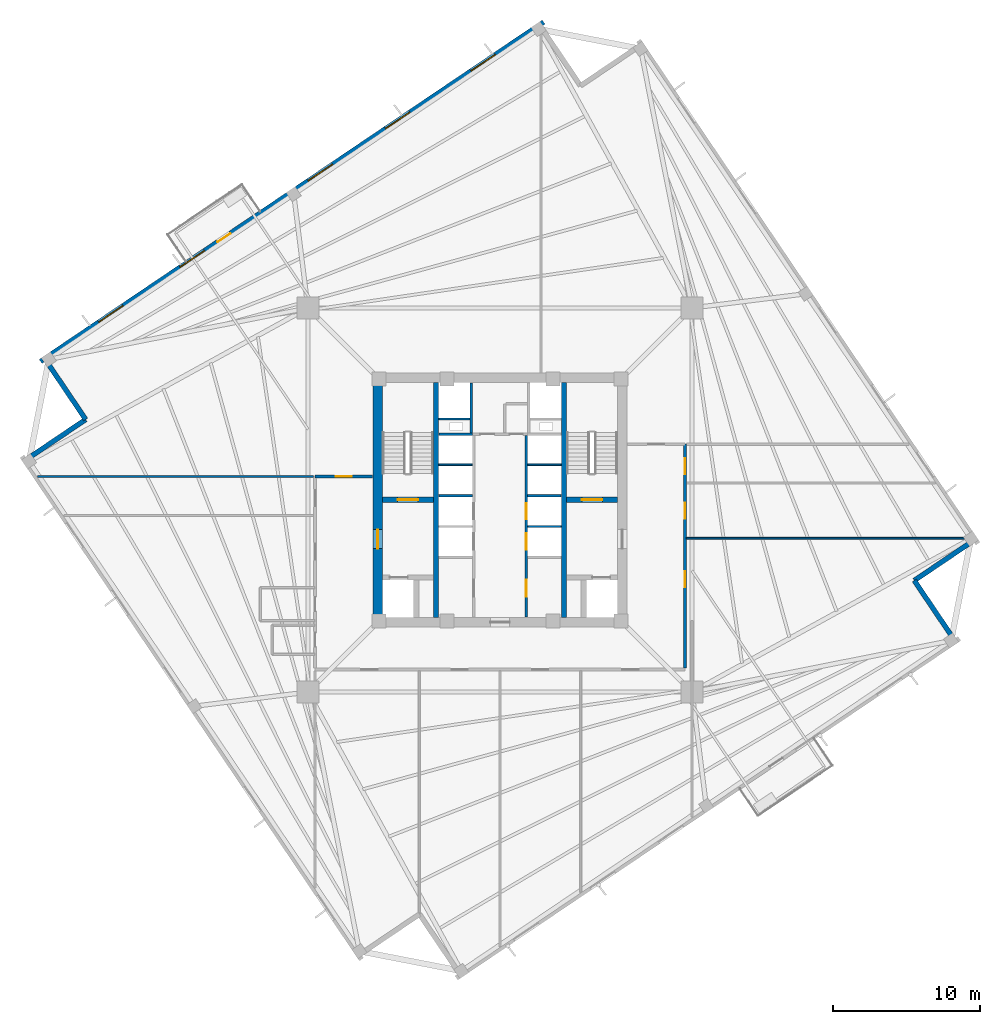
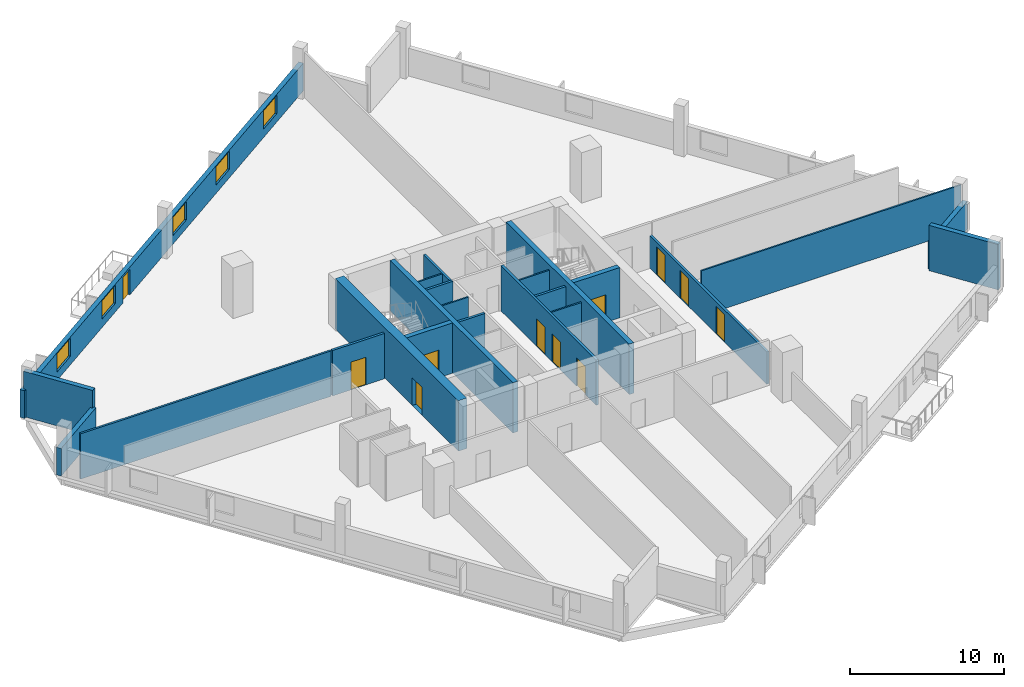
# One storey, part 4 of 8: 23 walls, 11 doors, 5 windows, 16 openings.
"""IFC4 building model written with IfcOpenShell, lengths in metres."""

from ifc_helpers import new_model, si_unit, direction, frame, frame_2d, origin, place, context, subcontext, project, spatial, rectangle, extrude, source, transform, mapped, material, layer, layer_set, type_object, element, fill, save


model = new_model("IFC4")

# Units and contexts
model_context = context("Model", 3, precision=1e-05, world=origin(), true_north=direction((0.0, 1.0)))
body_context = subcontext(model_context, "Body", "Model", "MODEL_VIEW")
ifc_project = project(units=[si_unit("LENGTHUNIT", "METRE"), si_unit("AREAUNIT", "SQUARE_METRE"), si_unit("VOLUMEUNIT", "CUBIC_METRE"), si_unit("PLANEANGLEUNIT", "RADIAN"), si_unit("MASSUNIT", "GRAM", prefix="KILO"), si_unit("THERMODYNAMICTEMPERATUREUNIT", "KELVIN")], contexts=[model_context])

# Site, building, storey
site_placement = place(None, origin())
site = spatial("IfcSite", under=ifc_project, at=site_placement, CompositionType="ELEMENT")
building_placement = place(site_placement, origin())
building = spatial("IfcBuilding", under=site, at=building_placement, Name="Kosmvard Interchange Tower", CompositionType="ELEMENT")
storey_placement = place(building_placement, frame((0.0, 0.0, 196.39990234375)))
storey = spatial("IfcBuildingStorey", under=building, at=storey_placement, Name="L47", CompositionType="ELEMENT", Elevation=196.39990234375)

# Walls
ifc_material_1 = material(Name="Acoustic gypsum partition system")
ifc_layer_1 = layer(ifc_material_1, 0.14990234375, Name="Acoustic gypsum partition system")
ifc_layer_set_1 = layer_set([ifc_layer_1], Name="Acoustic gypsum partition system")
wall_type_1 = type_object("IfcWallType", Name="Acoustic Suite & Meeting Partition 150", PredefinedType="PARTITIONING", material=ifc_layer_set_1)
wall_1_placement = place(storey_placement, frame((-31.506103515625, 1.60009765625, 0.0), z_axis=(0.0, 0.0, 1.0), x_axis=(1.0, 0.0, 0.0)))
element("IfcWall", 1, at=wall_1_placement, inside=storey, type_object=wall_type_1, Name="L47 Room Partition 03.1", PredefinedType="PARTITIONING", context=body_context, shape_type="SweptSolid", body=[
    extrude(rectangle(XDim=18.81103515625, YDim=0.14990234375, at=frame_2d((9.405517578125, 0.0))), origin(), (0.0, 0.0, 1.0), 3.60009765625),
])
ifc_material_2 = material(Name="Fire-rated gypsum partition system")
ifc_layer_2 = layer(ifc_material_2, 0.159912109375, Name="Fire-rated gypsum partition system")
ifc_layer_set_2 = layer_set([ifc_layer_2], Name="Fire-rated gypsum partition system")
wall_type_2 = type_object("IfcWallType", Name="Core Compartment & Shuttle Lobby Partition 160", PredefinedType="PARTITIONING", material=ifc_layer_set_2)
wall_2_placement = place(storey_placement, frame((-1.9599609375, 4.580078125, 0.0), z_axis=(0.0, 0.0, 1.0), x_axis=(0.0, 1.0, 0.0)))
element("IfcWall", 2, at=wall_2_placement, inside=storey, type_object=wall_type_2, Name="L47 North Core West Wall", PredefinedType="PARTITIONING", context=body_context, shape_type="SweptSolid", body=[
    extrude(rectangle(XDim=3.39990234375, YDim=0.159912109375, at=frame_2d((1.699951171875, 0.0))), origin(), (0.0, 0.0, 1.0), 3.60009765625),
])

# Wall, openings, doors
ifc_layer_3 = layer(ifc_material_2, 0.179931640625, Name="Fire-rated gypsum partition system")
ifc_layer_set_3 = layer_set([ifc_layer_3], Name="Fire-rated gypsum partition system")
wall_type_3 = type_object("IfcWallType", Name="Corridor & Hotel Compartment Partition 180", PredefinedType="PARTITIONING", material=ifc_layer_set_3)
wall_3_placement = place(storey_placement, frame((1.7900390625, -7.97998046875, 0.0), z_axis=(0.0, 0.0, 1.0), x_axis=(0.0, 1.0, 0.0)))
wall_3 = element("IfcWall", 3, at=wall_3_placement, inside=storey, type_object=wall_type_3, Name="L47 East Lift Bank Front Wall", PredefinedType="PARTITIONING", context=body_context, shape_type="SweptSolid", body=[
    extrude(rectangle(XDim=12.3798828125, YDim=0.179931640625, at=frame_2d((6.18994140625, 0.0))), origin(), (0.0, 0.0, 1.0), 3.60009765625),
])
opening_1_placement = place(wall_3_placement, frame((4.60009765625, 0.0, 0.0)))
opening_1 = element("IfcOpeningElement", 4, at=opening_1_placement, cuts=wall_3, Name="Opening LD-PL-M3-L47", PredefinedType="OPENING", context=body_context, shape_type="SweptSolid", body=[
    extrude(rectangle(XDim=1.10009765625, YDim=2.199951171875, at=frame_2d((0.550048828125, 1.10009765625))), frame((0.0, 0.10009765625, 0.0), z_axis=(0.0, -1.0, 0.0), x_axis=(1.0, 0.0, 0.0)), (0.0, 0.0, 1.0), 0.199951171875),
])
opening_2_placement = place(wall_3_placement, frame((6.659912109375, 0.0, 0.0)))
opening_2 = element("IfcOpeningElement", 5, at=opening_2_placement, cuts=wall_3, Name="Opening LD-PL-M4-L47", PredefinedType="OPENING", context=body_context, shape_type="SweptSolid", body=[
    extrude(rectangle(XDim=1.10009765625, YDim=2.199951171875, at=frame_2d((0.550048828125, 1.10009765625))), frame((0.0, 0.10009765625, 0.0), z_axis=(0.0, -1.0, 0.0), x_axis=(1.0, 0.0, 0.0)), (0.0, 0.0, 1.0), 0.199951171875),
])
opening_3_placement = place(wall_3_placement, frame((1.39990234375, 0.0, 0.0)))
opening_3 = element("IfcOpeningElement", 6, at=opening_3_placement, cuts=wall_3, Name="Opening L47-CD2", PredefinedType="OPENING", context=body_context, shape_type="SweptSolid", body=[
    extrude(rectangle(XDim=1.14990234375, YDim=2.25, at=frame_2d((0.574951171875, 1.125))), frame((0.0, 0.10009765625, 0.0), z_axis=(0.0, -1.0, 0.0), x_axis=(1.0, 0.0, 0.0)), (0.0, 0.0, 1.0), 0.199951171875),
])
ifc_material_3 = material(Name="Painted fire-rated steel leaf", Category="steel")
door_type_1 = type_object("IfcDoorType", Name="Plant & Riser Fire Door 1150x2250 EI60", OperationType="NOTDEFINED", PredefinedType="DOOR", material=ifc_material_3)
shared_shape_1 = source(origin(), body_context, "Body", "SweptSolid", [
    extrude(rectangle(XDim=1.14990234375, YDim=2.25, at=frame_2d((0.574951171875, 1.125))), frame((0.0, 0.02490234375, 0.0), z_axis=(0.0, -1.0, 0.0), x_axis=(1.0, 0.0, 0.0)), (0.0, 0.0, 1.0), 0.050048828125),
])
door_1_placement = place(opening_3_placement, frame((1.14990234375, 0.0, 0.0), z_axis=(0.0, 0.0, 1.0), x_axis=(-1.0, 0.0, 0.0)))
door_1 = element("IfcDoor", 7, at=door_1_placement, inside=storey, type_object=door_type_1, Name="L47 Core BMS Door", OperationType="SINGLE_SWING_RIGHT", OverallHeight=2.25, OverallWidth=1.14990234375, PredefinedType="DOOR", context=body_context, shape_type="MappedRepresentation", body=[
    mapped(shared_shape_1, transform((0.0, 0.0, 0.0), scale=1.0)),
])
fill(opening_3, door_1)
ifc_material_4 = material(Name="Brushed stainless steel sliding leaf", Category="steel")
door_type_2 = type_object("IfcDoorType", Name="Passenger Lift Sliding Landing Door 1100x2200 EI60", OperationType="DOUBLE_DOOR_SLIDING", PredefinedType="DOOR", material=ifc_material_4)
shared_shape_2 = source(origin(), body_context, "Body", "SweptSolid", [
    extrude(rectangle(XDim=1.10009765625, YDim=2.199951171875, at=frame_2d((0.550048828125, 1.10009765625))), frame((0.0, 0.02490234375, 0.0), z_axis=(0.0, -1.0, 0.0), x_axis=(1.0, 0.0, 0.0)), (0.0, 0.0, 1.0), 0.050048828125),
])
door_2_placement = place(opening_1_placement, origin())
door_2 = element("IfcDoor", 8, at=door_2_placement, inside=storey, type_object=door_type_2, Name="Lift PL-M3 Landing Door L47", OperationType="DOUBLE_DOOR_SLIDING", OverallHeight=2.199951171875, OverallWidth=1.10009765625, PredefinedType="DOOR", context=body_context, shape_type="MappedRepresentation", body=[
    mapped(shared_shape_2, transform((0.0, 0.0, 0.0), scale=1.0)),
])
fill(opening_1, door_2)
door_3_placement = place(opening_2_placement, origin())
door_3 = element("IfcDoor", 9, at=door_3_placement, inside=storey, type_object=door_type_2, Name="Lift PL-M4 Landing Door L47", OperationType="DOUBLE_DOOR_SLIDING", OverallHeight=2.199951171875, OverallWidth=1.10009765625, PredefinedType="DOOR", context=body_context, shape_type="MappedRepresentation", body=[
    mapped(shared_shape_2, transform((0.0, 0.0, 0.0), scale=1.0)),
])
fill(opening_2, door_3)

wall_4_placement = place(storey_placement, frame((12.60009765625, -11.449951171875, 0.0), z_axis=(0.0, 0.0, 1.0), x_axis=(0.0, 1.0, 0.0)))
wall_4 = element("IfcWall", 10, at=wall_4_placement, inside=storey, type_object=wall_type_3, Name="L47 Corridor Wall CE", PredefinedType="PARTITIONING", context=body_context, shape_type="SweptSolid", body=[
    extrude(rectangle(XDim=15.25, YDim=0.179931640625, at=frame_2d((7.625, 0.0))), origin(), (0.0, 0.0, 1.0), 2.56005859375),
])
opening_4_placement = place(wall_4_placement, frame((13.21044921875, 0.0, 0.0)))
opening_4 = element("IfcOpeningElement", 11, at=opening_4_placement, cuts=wall_4, Name="Opening L47-D06", PredefinedType="OPENING", context=body_context, shape_type="SweptSolid", body=[
    extrude(rectangle(XDim=1.10009765625, YDim=2.199951171875, at=frame_2d((0.550048828125, 1.10009765625))), frame((0.0, 0.10009765625, 0.0), z_axis=(0.0, -1.0, 0.0), x_axis=(1.0, 0.0, 0.0)), (0.0, 0.0, 1.0), 0.199951171875),
])
opening_5_placement = place(wall_4_placement, frame((5.5, 0.0, 0.0)))
opening_5 = element("IfcOpeningElement", 12, at=opening_5_placement, cuts=wall_4, Name="Opening L47-D12", PredefinedType="OPENING", context=body_context, shape_type="SweptSolid", body=[
    extrude(rectangle(XDim=1.10009765625, YDim=2.199951171875, at=frame_2d((0.550048828125, 1.10009765625))), frame((0.0, 0.10009765625, 0.0), z_axis=(0.0, -1.0, 0.0), x_axis=(1.0, 0.0, 0.0)), (0.0, 0.0, 1.0), 0.199951171875),
])
opening_6_placement = place(wall_4_placement, frame((10.175048828125, 0.0, 0.0)))
opening_6 = element("IfcOpeningElement", 13, at=opening_6_placement, cuts=wall_4, Name="Opening L47-D13", PredefinedType="OPENING", context=body_context, shape_type="SweptSolid", body=[
    extrude(rectangle(XDim=1.10009765625, YDim=2.199951171875, at=frame_2d((0.550048828125, 1.10009765625))), frame((0.0, 0.10009765625, 0.0), z_axis=(0.0, -1.0, 0.0), x_axis=(1.0, 0.0, 0.0)), (0.0, 0.0, 1.0), 0.199951171875),
])
ifc_material_5 = material(Name="Engineered oak fire-rated timber", Category="wood")
door_type_3 = type_object("IfcDoorType", Name="Office Suite Entrance Door 1100x2200 FD30S", OperationType="NOTDEFINED", PredefinedType="DOOR", material=ifc_material_5)
door_4_placement = place(opening_4_placement, frame((1.10009765625, 0.0, 0.0), z_axis=(0.0, 0.0, 1.0), x_axis=(-1.0, 0.0, 0.0)))
door_4 = element("IfcDoor", 14, at=door_4_placement, inside=storey, type_object=door_type_3, Name="L47 East Port Briefing Room 2 Door", OperationType="SINGLE_SWING_RIGHT", OverallHeight=2.199951171875, OverallWidth=1.10009765625, PredefinedType="DOOR", context=body_context, shape_type="MappedRepresentation", body=[
    mapped(shared_shape_2, transform((0.0, 0.0, 0.0), scale=1.0)),
])
fill(opening_4, door_4)
door_5_placement = place(opening_5_placement, frame((1.10009765625, 0.0, 0.0), z_axis=(0.0, 0.0, 1.0), x_axis=(-1.0, 0.0, 0.0)))
door_5 = element("IfcDoor", 15, at=door_5_placement, inside=storey, type_object=door_type_3, Name="L47 Customs Archive Store Door", OperationType="SINGLE_SWING_RIGHT", OverallHeight=2.199951171875, OverallWidth=1.10009765625, PredefinedType="DOOR", context=body_context, shape_type="MappedRepresentation", body=[
    mapped(shared_shape_2, transform((0.0, 0.0, 0.0), scale=1.0)),
])
fill(opening_5, door_5)
door_6_placement = place(opening_6_placement, frame((1.10009765625, 0.0, 0.0), z_axis=(0.0, 0.0, 1.0), x_axis=(-1.0, 0.0, 0.0)))
door_6 = element("IfcDoor", 16, at=door_6_placement, inside=storey, type_object=door_type_3, Name="L47 East Trade Counsel Office Door", OperationType="SINGLE_SWING_LEFT", OverallHeight=2.199951171875, OverallWidth=1.10009765625, PredefinedType="DOOR", context=body_context, shape_type="MappedRepresentation", body=[
    mapped(shared_shape_2, transform((0.0, 0.0, 0.0), scale=1.0)),
])
fill(opening_6, door_6)

# Wall, opening, door
wall_5_placement = place(storey_placement, frame((-12.60009765625, 1.60009765625, 0.0), z_axis=(0.0, 0.0, 1.0), x_axis=(1.0, 0.0, 0.0)))
wall_5 = element("IfcWall", 17, at=wall_5_placement, inside=storey, type_object=wall_type_3, Name="L47 Corridor Wall CNW", PredefinedType="PARTITIONING", context=body_context, shape_type="SweptSolid", body=[
    extrude(rectangle(XDim=3.900146484375, YDim=0.179931640625, at=frame_2d((1.9501953125, 0.0))), origin(), (0.0, 0.0, 1.0), 3.60009765625),
])
opening_7_placement = place(wall_5_placement, frame((1.39990234375, 0.0, 0.0)))
opening_7 = element("IfcOpeningElement", 18, at=opening_7_placement, cuts=wall_5, Name="Opening L47-D04", PredefinedType="OPENING", context=body_context, shape_type="SweptSolid", body=[
    extrude(rectangle(XDim=1.10009765625, YDim=2.199951171875, at=frame_2d((0.550048828125, 1.10009765625))), frame((0.0, 0.10009765625, 0.0), z_axis=(0.0, -1.0, 0.0), x_axis=(1.0, 0.0, 0.0)), (0.0, 0.0, 1.0), 0.199951171875),
])
door_7_placement = place(opening_7_placement, origin())
door_7 = element("IfcDoor", 19, at=door_7_placement, inside=storey, type_object=door_type_3, Name="L47 North-West Maritime Logistics Workplace Door", OperationType="SINGLE_SWING_RIGHT", OverallHeight=2.199951171875, OverallWidth=1.10009765625, PredefinedType="DOOR", context=body_context, shape_type="MappedRepresentation", body=[
    mapped(shared_shape_2, transform((0.0, 0.0, 0.0), scale=1.0)),
])
fill(opening_7, door_7)

ifc_material_6 = material(Name="Concrete C70/85", Category="concrete")
ifc_layer_4 = layer(ifc_material_6, 0.64990234375, Name="Concrete C70/85")
ifc_layer_set_4 = layer_set([ifc_layer_4], Name="Concrete C70/85")
wall_type_4 = type_object("IfcWallType", Name="Mid Core Shear Wall 650 C70/85", PredefinedType="SHEAR", material=ifc_layer_set_4)
wall_6_placement = place(storey_placement, frame((-8.324951171875, -8.0, 0.0), z_axis=(0.0, 0.0, 1.0), x_axis=(0.0, 1.0, 0.0)))
wall_6 = element("IfcWall", 20, at=wall_6_placement, inside=storey, type_object=wall_type_4, Name="L47 Core Shear Wall CW-W", PredefinedType="SHEAR", context=body_context, shape_type="SweptSolid", body=[
    extrude(rectangle(XDim=16.0, YDim=0.64990234375, at=frame_2d((8.0, 0.0))), origin(), (0.0, 0.0, 1.0), 4.0),
])
opening_8_placement = place(wall_6_placement, frame((4.68994140625, 0.0, 0.0)))
opening_8 = element("IfcOpeningElement", 21, at=opening_8_placement, cuts=wall_6, Name="Opening L47-FD1", PredefinedType="OPENING", context=body_context, shape_type="SweptSolid", body=[
    extrude(rectangle(XDim=1.300048828125, YDim=2.199951171875, at=frame_2d((0.64990234375, 1.10009765625))), frame((0.0, 0.3349609375, 0.0), z_axis=(0.0, -1.0, 0.0), x_axis=(1.0, 0.0, 0.0)), (0.0, 0.0, 1.0), 0.669921875),
])
door_type_4 = type_object("IfcDoorType", Name="Firefighting Lobby Door 1300x2200 EI60", OperationType="NOTDEFINED", PredefinedType="DOOR", material=ifc_material_3)
shared_shape_3 = source(origin(), body_context, "Body", "SweptSolid", [
    extrude(rectangle(XDim=1.300048828125, YDim=2.199951171875, at=frame_2d((0.64990234375, 1.10009765625))), frame((0.0, 0.02490234375, 0.0), z_axis=(0.0, -1.0, 0.0), x_axis=(1.0, 0.0, 0.0)), (0.0, 0.0, 1.0), 0.050048828125),
])
door_8_placement = place(opening_8_placement, frame((1.300048828125, 0.0, 0.0), z_axis=(0.0, 0.0, 1.0), x_axis=(-1.0, 0.0, 0.0)))
door_8 = element("IfcDoor", 22, at=door_8_placement, inside=storey, type_object=door_type_4, Name="L47 Firefighting Lobby West Door", OperationType="SINGLE_SWING_LEFT", OverallHeight=2.199951171875, OverallWidth=1.300048828125, PredefinedType="DOOR", context=body_context, shape_type="MappedRepresentation", body=[
    mapped(shared_shape_3, transform((0.0, 0.0, 0.0), scale=1.0)),
])
fill(opening_8, door_8)

# Walls
ifc_material_7 = material(Name="Precast concrete C45/55", Category="concrete")
ifc_layer_5 = layer(ifc_material_7, 0.340087890625, Name="Precast concrete C45/55")
ifc_layer_set_5 = layer_set([ifc_layer_5], Name="Precast concrete C45/55")
wall_type_5 = type_object("IfcWallType", Name="Mid Tower Precast Pier Wall 340 C45/55", PredefinedType="STANDARD", material=ifc_layer_set_5)
wall_7_placement = place(storey_placement, frame((31.018798828125, -9.631103515625, 0.0), z_axis=(0.0, 0.0, 1.0), x_axis=(-0.559210350234, 0.829025804298, 0.0)))
element("IfcWall", 23, at=wall_7_placement, inside=storey, type_object=wall_type_5, Name="L47 Precast Facade Wall N-SE1", PredefinedType="STANDARD", context=body_context, shape_type="SweptSolid", body=[
    extrude(rectangle(XDim=5.000244140625, YDim=0.340087890625, at=frame_2d((2.5, 0.0))), origin(), (0.0, 0.0, 1.0), 3.60009765625),
])
wall_8_placement = place(storey_placement, frame((28.22265625, -5.48583984375, 0.0), z_axis=(0.0, 0.0, 1.0), x_axis=(0.82905227345, 0.559171107879, 0.0)))
element("IfcWall", 24, at=wall_8_placement, inside=storey, type_object=wall_type_5, Name="L47 Precast Facade Wall N-SE2", PredefinedType="STANDARD", context=body_context, shape_type="SweptSolid", body=[
    extrude(rectangle(XDim=5.169921875, YDim=0.340087890625, at=frame_2d((2.5849609375, 0.0))), origin(), (0.0, 0.0, 1.0), 2.2001953125),
])

# Wall, openings, windows, door
wall_9_placement = place(storey_placement, frame((2.971923828125, 32.55810546875, 0.0), z_axis=(0.0, 0.0, 1.0), x_axis=(-0.829036218961, -0.559194910251, 0.0)))
wall_9 = element("IfcWall", 25, at=wall_9_placement, inside=storey, type_object=wall_type_5, Name="L47 Precast Facade Wall F-N", PredefinedType="STANDARD", context=body_context, shape_type="SweptSolid", body=[
    extrude(rectangle(XDim=41.340087890625, YDim=0.340087890625, at=frame_2d((20.669921875, 0.0))), origin(), (0.0, 0.0, 1.0), 2.2001953125),
])
opening_9_placement = place(wall_9_placement, frame((25.7451171875, 0.0, 0.0)))
opening_9 = element("IfcOpeningElement", 26, at=opening_9_placement, cuts=wall_9, Name="Opening L47-BDE", PredefinedType="OPENING", context=body_context, shape_type="SweptSolid", body=[
    extrude(rectangle(XDim=1.050048828125, YDim=2.02001953125, at=frame_2d((0.52490234375, 1.010009765625))), frame((0.0, 0.18017578125, 0.0), z_axis=(0.0, -1.0, 0.0), x_axis=(1.0, 0.0, 0.0)), (0.0, 0.0, 1.0), 0.360107421875),
])
opening_10_placement = place(wall_9_placement, frame((3.960693359375, 0.0, 0.669921875)))
opening_10 = element("IfcOpeningElement", 27, at=opening_10_placement, cuts=wall_9, Name="Opening L47-W11", PredefinedType="OPENING", context=body_context, shape_type="SweptSolid", body=[
    extrude(rectangle(XDim=2.0, YDim=1.449951171875, at=frame_2d((1.0, 0.72509765625))), frame((0.0, 0.18017578125, 0.0), z_axis=(0.0, -1.0, 0.0), x_axis=(1.0, 0.0, 0.0)), (0.0, 0.0, 1.0), 0.360107421875),
])
opening_11_placement = place(wall_9_placement, frame((10.988525390625, 0.0, 0.669921875)))
opening_11 = element("IfcOpeningElement", 28, at=opening_11_placement, cuts=wall_9, Name="Opening L47-W12", PredefinedType="OPENING", context=body_context, shape_type="SweptSolid", body=[
    extrude(rectangle(XDim=2.0, YDim=1.449951171875, at=frame_2d((1.0, 0.72509765625))), frame((0.0, 0.18017578125, 0.0), z_axis=(0.0, -1.0, 0.0), x_axis=(1.0, 0.0, 0.0)), (0.0, 0.0, 1.0), 0.360107421875),
])
opening_12_placement = place(wall_9_placement, frame((17.34326171875, 0.0, 0.669921875)))
opening_12 = element("IfcOpeningElement", 29, at=opening_12_placement, cuts=wall_9, Name="Opening L47-W13", PredefinedType="OPENING", context=body_context, shape_type="SweptSolid", body=[
    extrude(rectangle(XDim=2.0, YDim=1.449951171875, at=frame_2d((1.0, 0.72509765625))), frame((0.0, 0.18017578125, 0.0), z_axis=(0.0, -1.0, 0.0), x_axis=(1.0, 0.0, 0.0)), (0.0, 0.0, 1.0), 0.360107421875),
])
opening_13_placement = place(wall_9_placement, frame((27.861083984375, 0.0, 0.669921875)))
opening_13 = element("IfcOpeningElement", 30, at=opening_13_placement, cuts=wall_9, Name="Opening L47-W14", PredefinedType="OPENING", context=body_context, shape_type="SweptSolid", body=[
    extrude(rectangle(XDim=2.0, YDim=1.449951171875, at=frame_2d((1.0, 0.72509765625))), frame((0.0, 0.18017578125, 0.0), z_axis=(0.0, -1.0, 0.0), x_axis=(1.0, 0.0, 0.0)), (0.0, 0.0, 1.0), 0.360107421875),
])
opening_14_placement = place(wall_9_placement, frame((34.552490234375, 0.0, 0.669921875)))
opening_14 = element("IfcOpeningElement", 31, at=opening_14_placement, cuts=wall_9, Name="Opening L47-W15", PredefinedType="OPENING", context=body_context, shape_type="SweptSolid", body=[
    extrude(rectangle(XDim=2.0, YDim=1.449951171875, at=frame_2d((1.0, 0.72509765625))), frame((0.0, 0.18017578125, 0.0), z_axis=(0.0, -1.0, 0.0), x_axis=(1.0, 0.0, 0.0)), (0.0, 0.0, 1.0), 0.360107421875),
])
ifc_material_8 = material(Name="Low-E solar-control double glazing", Category="glass")
window_type = type_object("IfcWindowType", Name="Transfer Zone Punched Window 2000x1450", PartitioningType="SINGLE_PANEL", PredefinedType="WINDOW", material=ifc_material_8)
shared_shape_4 = source(origin(), body_context, "Body", "SweptSolid", [
    extrude(rectangle(XDim=2.0, YDim=1.449951171875, at=frame_2d((1.0, 0.72509765625))), frame((0.0, 0.030029296875, 0.0), z_axis=(0.0, -1.0, 0.0), x_axis=(1.0, 0.0, 0.0)), (0.0, 0.0, 1.0), 0.06005859375),
])
window_1_placement = place(opening_10_placement, origin())
window_1 = element("IfcWindow", 32, at=window_1_placement, inside=storey, type_object=window_type, Name="L47 Facade Punched Window 11", OverallHeight=1.449951171875, OverallWidth=2.0, PartitioningType="SINGLE_PANEL", PredefinedType="WINDOW", context=body_context, shape_type="MappedRepresentation", body=[
    mapped(shared_shape_4, transform((0.0, 0.0, 0.0), scale=1.0)),
])
fill(opening_10, window_1)
window_2_placement = place(opening_11_placement, origin())
window_2 = element("IfcWindow", 33, at=window_2_placement, inside=storey, type_object=window_type, Name="L47 Facade Punched Window 12", OverallHeight=1.449951171875, OverallWidth=2.0, PartitioningType="SINGLE_PANEL", PredefinedType="WINDOW", context=body_context, shape_type="MappedRepresentation", body=[
    mapped(shared_shape_4, transform((0.0, 0.0, 0.0), scale=1.0)),
])
fill(opening_11, window_2)
window_3_placement = place(opening_12_placement, origin())
window_3 = element("IfcWindow", 34, at=window_3_placement, inside=storey, type_object=window_type, Name="L47 Facade Punched Window 13", OverallHeight=1.449951171875, OverallWidth=2.0, PartitioningType="SINGLE_PANEL", PredefinedType="WINDOW", context=body_context, shape_type="MappedRepresentation", body=[
    mapped(shared_shape_4, transform((0.0, 0.0, 0.0), scale=1.0)),
])
fill(opening_12, window_3)
window_4_placement = place(opening_13_placement, origin())
window_4 = element("IfcWindow", 35, at=window_4_placement, inside=storey, type_object=window_type, Name="L47 Facade Punched Window 14", OverallHeight=1.449951171875, OverallWidth=2.0, PartitioningType="SINGLE_PANEL", PredefinedType="WINDOW", context=body_context, shape_type="MappedRepresentation", body=[
    mapped(shared_shape_4, transform((0.0, 0.0, 0.0), scale=1.0)),
])
fill(opening_13, window_4)
window_5_placement = place(opening_14_placement, origin())
window_5 = element("IfcWindow", 36, at=window_5_placement, inside=storey, type_object=window_type, Name="L47 Facade Punched Window 15", OverallHeight=1.449951171875, OverallWidth=2.0, PartitioningType="SINGLE_PANEL", PredefinedType="WINDOW", context=body_context, shape_type="MappedRepresentation", body=[
    mapped(shared_shape_4, transform((0.0, 0.0, 0.0), scale=1.0)),
])
fill(opening_14, window_5)
ifc_material_9 = material(Name="Anodised aluminium and safety glass", Category="aluminium")
door_type_5 = type_object("IfcDoorType", Name="Tree-Balcony Glazed Door 1050x2250", OperationType="NOTDEFINED", PredefinedType="DOOR", material=ifc_material_9)
shared_shape_5 = source(origin(), body_context, "Body", "SweptSolid", [
    extrude(rectangle(XDim=1.050048828125, YDim=2.02001953125, at=frame_2d((0.52490234375, 1.010009765625))), frame((0.0, 0.02490234375, 0.0), z_axis=(0.0, -1.0, 0.0), x_axis=(1.0, 0.0, 0.0)), (0.0, 0.0, 1.0), 0.050048828125),
])
door_9_placement = place(opening_9_placement, origin())
door_9 = element("IfcDoor", 37, at=door_9_placement, inside=storey, type_object=door_type_5, Name="L47 Tree-Balcony Door BAL-L47-NE", OperationType="SINGLE_SWING_RIGHT", OverallHeight=2.02001953125, OverallWidth=1.050048828125, PredefinedType="DOOR", context=body_context, shape_type="MappedRepresentation", body=[
    mapped(shared_shape_5, transform((0.0, 0.0, 0.0), scale=1.0)),
])
fill(opening_9, door_9)

# Walls
wall_10_placement = place(storey_placement, frame((-31.018798828125, 9.631103515625, 0.0), z_axis=(0.0, 0.0, 1.0), x_axis=(0.559210350234, -0.829025804298, 0.0)))
element("IfcWall", 38, at=wall_10_placement, inside=storey, type_object=wall_type_5, Name="L47 Precast Facade Wall N-NW1", PredefinedType="STANDARD", context=body_context, shape_type="SweptSolid", body=[
    extrude(rectangle(XDim=5.000244140625, YDim=0.340087890625, at=frame_2d((2.5, 0.0))), origin(), (0.0, 0.0, 1.0), 3.60009765625),
])
wall_11_placement = place(storey_placement, frame((-28.22265625, 5.48583984375, 0.0), z_axis=(0.0, 0.0, 1.0), x_axis=(-0.82905227345, -0.559171107879, 0.0)))
element("IfcWall", 39, at=wall_11_placement, inside=storey, type_object=wall_type_5, Name="L47 Precast Facade Wall N-NW2", PredefinedType="STANDARD", context=body_context, shape_type="SweptSolid", body=[
    extrude(rectangle(XDim=5.169921875, YDim=0.340087890625, at=frame_2d((2.5849609375, 0.0))), origin(), (0.0, 0.0, 1.0), 2.2001953125),
])
ifc_material_10 = material(Name="Gypsum board partition system")
ifc_layer_6 = layer(ifc_material_10, 0.1201171875, Name="Gypsum board partition system")
ifc_layer_set_6 = layer_set([ifc_layer_6], Name="Gypsum board partition system")
wall_type_6 = type_object("IfcWallType", Name="Office Cellular Partition 120", PredefinedType="PARTITIONING", material=ifc_layer_set_6)
wall_12_placement = place(storey_placement, frame((12.695068359375, -2.60009765625, 0.0), z_axis=(0.0, 0.0, 1.0), x_axis=(1.0, 0.0, 0.0)))
element("IfcWall", 40, at=wall_12_placement, inside=storey, type_object=wall_type_6, Name="L47 Room Partition 12.1", PredefinedType="PARTITIONING", context=body_context, shape_type="SweptSolid", body=[
    extrude(rectangle(XDim=19.485595703125, YDim=0.1201171875, at=frame_2d((9.74267578125, 0.0))), origin(), (0.0, 0.0, 1.0), 3.60009765625),
])
ifc_material_11 = material(Name="Concrete blockwork masonry", Category="masonry")
ifc_layer_7 = layer(ifc_material_11, 0.179931640625, Name="Concrete blockwork masonry")
ifc_layer_set_7 = layer_set([ifc_layer_7], Name="Concrete blockwork masonry")
wall_type_7 = type_object("IfcWallType", Name="Riser & Lift Bank Divider Wall 180", PredefinedType="PARTITIONING", material=ifc_layer_set_7)
for number, where, z_axis, x_axis, name in (
    (41, (-4.169921875, 0.300048828125, 0.0), (0.0, 0.0, 1.0), (1.0, 0.0, 0.0), "L47 West Bank Divider BD2"),
    (42, (1.889892578125, 0.300048828125, 0.0), (0.0, 0.0, 1.0), (1.0, 0.0, 0.0), "L47 East Bank Divider BD2"),
    (43, (-4.169921875, 4.489990234375, 0.0), (0.0, 0.0, 1.0), (1.0, 0.0, 0.0), "L47 West Bank Divider BD3"),
):
    element("IfcWall", number, at=place(storey_placement, frame(where, z_axis=z_axis, x_axis=x_axis)), inside=storey, type_object=wall_type_7, Name=name, PredefinedType="PARTITIONING", context=body_context, shape_type="SweptSolid", body=[
        extrude(rectangle(XDim=2.280029296875, YDim=0.179931640625, at=frame_2d((1.14013671875, 0.0))), origin(), (0.0, 0.0, 1.0), 3.60009765625),
    ])
ifc_material_12 = material(Name="Fire-rated gypsum shaftwall system")
ifc_layer_8 = layer(ifc_material_12, 0.1201171875, Name="Fire-rated gypsum shaftwall system")
ifc_layer_set_8 = layer_set([ifc_layer_8], Name="Fire-rated gypsum shaftwall system")
wall_type_8 = type_object("IfcWallType", Name="Shaft & Riser Fire Partition 120 EI60", PredefinedType="PARTITIONING", material=ifc_layer_set_8)
for number, where, z_axis, x_axis, name in (
    (44, (1.89990234375, -1.800048828125, 0.0), (0.0, 0.0, 1.0), (1.0, 0.0, 0.0), "L47 Shaft Divider PL-M3"),
    (45, (-4.159912109375, 2.39990234375, 0.0), (0.0, 0.0, 1.0), (1.0, 0.0, 0.0), "L47 Shaft Divider PL-H1"),
    (46, (1.89990234375, 2.39990234375, 0.0), (0.0, 0.0, 1.0), (1.0, 0.0, 0.0), "L47 Shaft Divider PL-H3"),
):
    element("IfcWall", number, at=place(storey_placement, frame(where, z_axis=z_axis, x_axis=x_axis)), inside=storey, type_object=wall_type_8, Name=name, PredefinedType="PARTITIONING", context=body_context, shape_type="SweptSolid", body=[
        extrude(rectangle(XDim=2.260009765625, YDim=0.1201171875, at=frame_2d((1.1298828125, 0.0))), origin(), (0.0, 0.0, 1.0), 3.60009765625),
    ])
wall_13_placement = place(storey_placement, frame((-4.159912109375, 5.52001953125, 0.0), z_axis=(0.0, 0.0, 1.0), x_axis=(1.0, 0.0, 0.0)))
element("IfcWall", 47, at=wall_13_placement, inside=storey, type_object=wall_type_8, Name="L47 Riser Shaft Divider W", PredefinedType="PARTITIONING", context=body_context, shape_type="SweptSolid", body=[
    extrude(rectangle(XDim=2.099853515625, YDim=0.1201171875, at=frame_2d((1.0498046875, 0.0))), origin(), (0.0, 0.0, 1.0), 3.60009765625),
])
ifc_material_13 = material(Name="Concrete C60/75", Category="concrete")
ifc_layer_9 = layer(ifc_material_13, 0.360107421875, Name="Concrete C60/75")
ifc_layer_set_9 = layer_set([ifc_layer_9], Name="Concrete C60/75")
wall_type_9 = type_object("IfcWallType", Name="Stair & Lift Shaft Shear Wall 360 C60/75", PredefinedType="SHEAR", material=ifc_layer_set_9)
for number, where, z_axis, x_axis, name in (
    (48, (-4.360107421875, -8.0, 0.0), (0.0, 0.0, 1.0), (0.0, 1.0, 0.0), "L47 Shaft Shear Wall SW-W"),
    (49, (4.360107421875, -8.0, 0.0), (0.0, 0.0, 1.0), (0.0, 1.0, 0.0), "L47 Shaft Shear Wall SW-E"),
):
    element("IfcWall", number, at=place(storey_placement, frame(where, z_axis=z_axis, x_axis=x_axis)), inside=storey, type_object=wall_type_9, Name=name, PredefinedType="SHEAR", context=body_context, shape_type="SweptSolid", body=[
        extrude(rectangle(XDim=16.0, YDim=0.360107421875, at=frame_2d((8.0, 0.0))), origin(), (0.0, 0.0, 1.0), 4.0),
    ])

# Wall, opening, door
wall_14_placement = place(storey_placement, frame((-8.0, 0.02001953125, 0.0), z_axis=(0.0, 0.0, 1.0), x_axis=(1.0, 0.0, 0.0)))
wall_14 = element("IfcWall", 50, at=wall_14_placement, inside=storey, type_object=wall_type_9, Name="L47 Shaft Shear Wall SW-ST1", PredefinedType="SHEAR", context=body_context, shape_type="SweptSolid", body=[
    extrude(rectangle(XDim=3.4599609375, YDim=0.360107421875, at=frame_2d((1.72998046875, 0.0))), origin(), (0.0, 0.0, 1.0), 4.0),
])
opening_15_placement = place(wall_14_placement, frame((1.030029296875, 0.0, 0.0)))
opening_15 = element("IfcOpeningElement", 51, at=opening_15_placement, cuts=wall_14, Name="Opening L47-SD1", PredefinedType="OPENING", context=body_context, shape_type="SweptSolid", body=[
    extrude(rectangle(XDim=1.39990234375, YDim=2.199951171875, at=frame_2d((0.699951171875, 1.10009765625))), frame((0.0, 0.18994140625, 0.0), z_axis=(0.0, -1.0, 0.0), x_axis=(1.0, 0.0, 0.0)), (0.0, 0.0, 1.0), 0.380126953125),
])
door_type_6 = type_object("IfcDoorType", Name="Protected Stair Door 1400x2200 FD60S", OperationType="NOTDEFINED", PredefinedType="DOOR", material=ifc_material_3)
shared_shape_6 = source(origin(), body_context, "Body", "SweptSolid", [
    extrude(rectangle(XDim=1.39990234375, YDim=2.199951171875, at=frame_2d((0.699951171875, 1.10009765625))), frame((0.0, 0.02490234375, 0.0), z_axis=(0.0, -1.0, 0.0), x_axis=(1.0, 0.0, 0.0)), (0.0, 0.0, 1.0), 0.050048828125),
])
door_10_placement = place(opening_15_placement, origin())
door_10 = element("IfcDoor", 52, at=door_10_placement, inside=storey, type_object=door_type_6, Name="L47 Stair ST-1 Enclosure Door", OperationType="SINGLE_SWING_LEFT", OverallHeight=2.199951171875, OverallWidth=1.39990234375, PredefinedType="DOOR", context=body_context, shape_type="MappedRepresentation", body=[
    mapped(shared_shape_6, transform((0.0, 0.0, 0.0), scale=1.0)),
])
fill(opening_15, door_10)

wall_15_placement = place(storey_placement, frame((4.5400390625, 0.02001953125, 0.0), z_axis=(0.0, 0.0, 1.0), x_axis=(1.0, 0.0, 0.0)))
wall_15 = element("IfcWall", 53, at=wall_15_placement, inside=storey, type_object=wall_type_9, Name="L47 Shaft Shear Wall SW-ST2", PredefinedType="SHEAR", context=body_context, shape_type="SweptSolid", body=[
    extrude(rectangle(XDim=3.4599609375, YDim=0.360107421875, at=frame_2d((1.72998046875, 0.0))), origin(), (0.0, 0.0, 1.0), 4.0),
])
opening_16_placement = place(wall_15_placement, frame((1.030029296875, 0.0, 0.0)))
opening_16 = element("IfcOpeningElement", 54, at=opening_16_placement, cuts=wall_15, Name="Opening L47-SD2", PredefinedType="OPENING", context=body_context, shape_type="SweptSolid", body=[
    extrude(rectangle(XDim=1.39990234375, YDim=2.199951171875, at=frame_2d((0.699951171875, 1.10009765625))), frame((0.0, 0.18994140625, 0.0), z_axis=(0.0, -1.0, 0.0), x_axis=(1.0, 0.0, 0.0)), (0.0, 0.0, 1.0), 0.380126953125),
])
door_11_placement = place(opening_16_placement, origin())
door_11 = element("IfcDoor", 55, at=door_11_placement, inside=storey, type_object=door_type_6, Name="L47 Stair ST-2 Enclosure Door", OperationType="SINGLE_SWING_RIGHT", OverallHeight=2.199951171875, OverallWidth=1.39990234375, PredefinedType="DOOR", context=body_context, shape_type="MappedRepresentation", body=[
    mapped(shared_shape_6, transform((0.0, 0.0, 0.0), scale=1.0)),
])
fill(opening_16, door_11)

save(model, "model.ifc")
